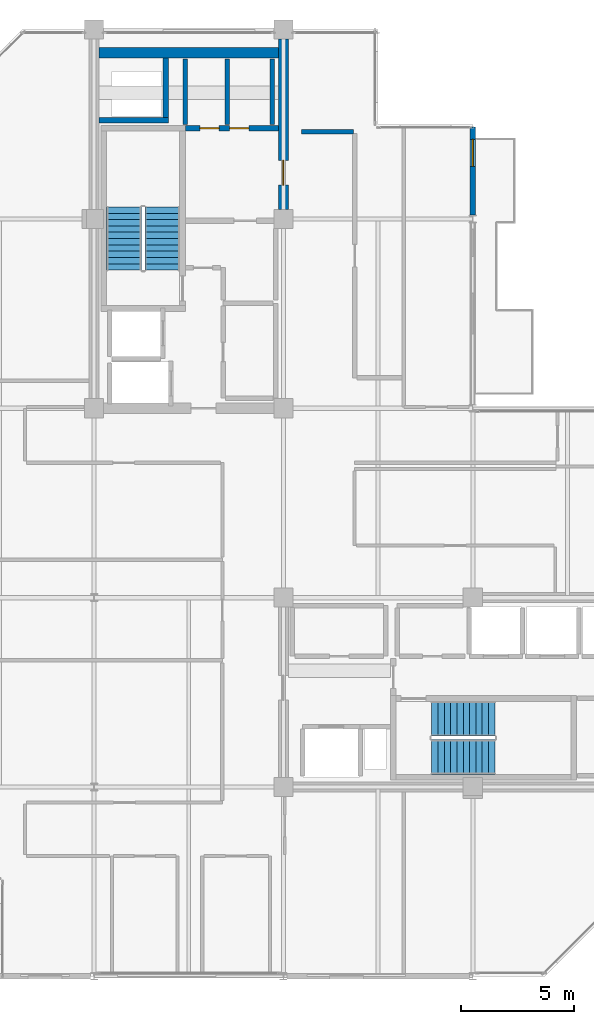
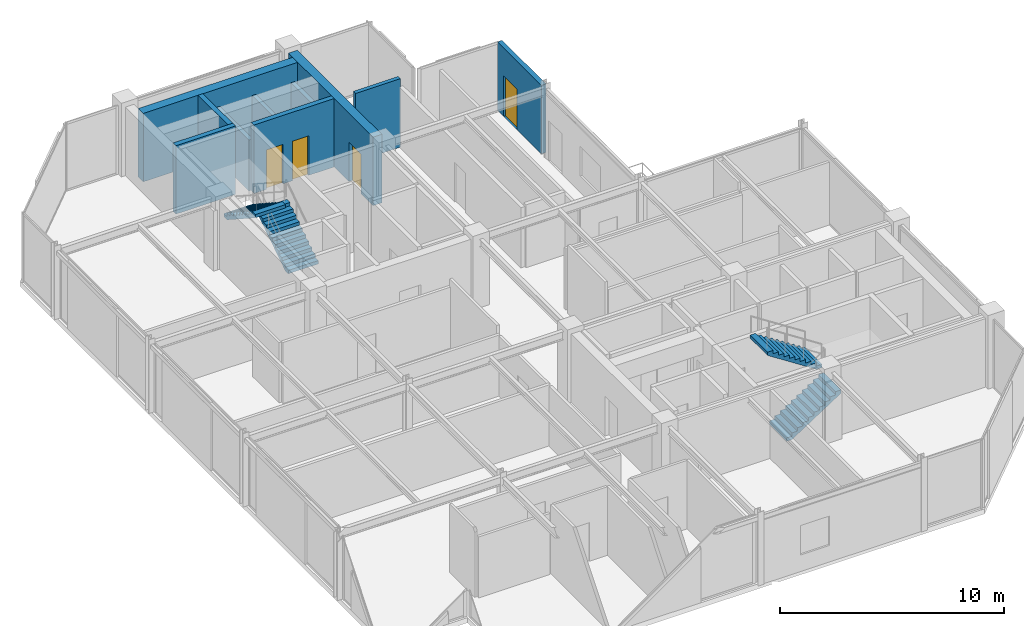
# One storey, part 22 of 24: 10 walls, 4 doors, 4 stair flights, 4 openings, 2 elements without a shape of their own.
"""IFC4 building model written with IfcOpenShell, lengths in metres."""

from ifc_helpers import new_model, si_unit, direction, frame, frame_2d, origin, place, context, subcontext, project, spatial, polyline, rectangle, outline, extrude, material, layer, layer_set, type_object, element, fill, aggregate, save


model = new_model("IFC4")

# Units and contexts
model_context = context("Model", 3, precision=1e-05, world=origin(), true_north=direction((0.0, 1.0)))
body_context = subcontext(model_context, "Body", "Model", "MODEL_VIEW")
ifc_project = project(units=[si_unit("LENGTHUNIT", "METRE"), si_unit("AREAUNIT", "SQUARE_METRE"), si_unit("VOLUMEUNIT", "CUBIC_METRE"), si_unit("PLANEANGLEUNIT", "RADIAN"), si_unit("MASSUNIT", "GRAM", prefix="KILO")], contexts=[model_context])

# Site, building, storey
site_placement = place(None, origin())
site = spatial("IfcSite", under=ifc_project, at=site_placement, CompositionType="ELEMENT")
building_placement = place(site_placement, origin())
building = spatial("IfcBuilding", under=site, at=building_placement, Name="Nerrivon Quay Data Exchange", CompositionType="ELEMENT")
storey_placement = place(building_placement, frame((0.0, 0.0, 294.199951171875)))
storey = spatial("IfcBuildingStorey", under=building, at=storey_placement, Name="L70", CompositionType="ELEMENT", Elevation=294.199951171875)

# Wall, opening, door
ifc_material_1 = material(Name="Architectural terracotta precast concrete N50 (50 MPa)", Category="masonry")
ifc_layer_1 = layer(ifc_material_1, 0.239990234375)
ifc_layer_set_1 = layer_set([ifc_layer_1], Name="Architectural terracotta precast concrete N50 (50 MPa)")
wall_type_1 = type_object("IfcWallType", Name="EW-PREC-240", PredefinedType="STANDARD", material=ifc_layer_set_1)
wall_1_placement = place(storey_placement, frame((25.199951171875, 37.679931640625, 0.0), z_axis=(0.0, 0.0, 1.0), x_axis=(0.0, -1.0, 0.0)))
wall_1 = element("IfcWall", 1, at=wall_1_placement, inside=storey, type_object=wall_type_1, Name="L70 Terrace Host Wall 19", PredefinedType="STANDARD", context=body_context, shape_type="SweptSolid", body=[
    extrude(rectangle(XDim=3.91650390625, YDim=0.239990234375, at=frame_2d((1.958251953125, 0.0))), origin(), (0.0, 0.0, 1.0), 3.72509765625),
])
opening_1_placement = place(wall_1_placement, frame((0.550048828125, 0.0, 0.0)))
opening_1 = element("IfcOpeningElement", 2, at=opening_1_placement, cuts=wall_1, Name="Opening TD1", PredefinedType="OPENING", context=body_context, shape_type="SweptSolid", body=[
    extrude(rectangle(XDim=1.199951171875, YDim=2.199951171875, at=frame_2d((0.60009765625, 1.10009765625))), frame((0.0, 0.1298828125, 0.0), z_axis=(0.0, -1.0, 0.0), x_axis=(1.0, 0.0, 0.0)), (0.0, 0.0, 1.0), 0.260009765625),
])
ifc_material_2 = material(Name="Double-glazed low-E solar control glass", Category="glass")
door_type_1 = type_object("IfcDoorType", Name="DR-TERR-1200x2200", OperationType="NOTDEFINED", PredefinedType="DOOR", material=ifc_material_2)
door_1_placement = place(opening_1_placement, origin())
door_1 = element("IfcDoor", 3, at=door_1_placement, inside=storey, type_object=door_type_1, Name="L70 Outdoor Terrace Access Door 19", OperationType="SINGLE_SWING_RIGHT", OverallHeight=2.199951171875, OverallWidth=1.199951171875, PredefinedType="DOOR", context=body_context, shape_type="SweptSolid", body=[
    extrude(rectangle(XDim=1.199951171875, YDim=2.199951171875, at=frame_2d((0.60009765625, 1.10009765625))), frame((0.0, 0.02490234375, 0.0), z_axis=(0.0, -1.0, 0.0), x_axis=(1.0, 0.0, 0.0)), (0.0, 0.0, 1.0), 0.050048828125),
])
fill(opening_1, door_1)

# Wall
ifc_material_3 = material(Name="Concrete N50 (50 MPa)", Category="concrete")
ifc_layer_2 = layer(ifc_material_3, 0.449951171875)
ifc_layer_set_2 = layer_set([ifc_layer_2], Name="Concrete N50 (50 MPa)")
wall_type_2 = type_object("IfcWallType", Name="WALL-CW-550", PredefinedType="SHEAR", material=ifc_layer_set_2)
wall_2_placement = place(storey_placement, frame((8.625, 40.97509765625, 0.0), z_axis=(0.0, 0.0, 1.0), x_axis=(1.0, 0.0, 0.0)))
element("IfcWall", 4, at=wall_2_placement, inside=storey, type_object=wall_type_2, Name="L70 West Split-Core Shear Wall WCW-N1", PredefinedType="SHEAR", context=body_context, shape_type="SweptSolid", body=[
    extrude(rectangle(XDim=7.949951171875, YDim=0.449951171875, at=frame_2d((3.97509765625, 0.0))), origin(), (0.0, 0.0, 1.0), 3.72509765625),
])

# Wall, opening, door
wall_3_placement = place(storey_placement, frame((16.800048828125, 34.02490234375, 0.0), z_axis=(0.0, 0.0, 1.0), x_axis=(0.0, 1.0, 0.0)))
wall_3 = element("IfcWall", 5, at=wall_3_placement, inside=storey, type_object=wall_type_2, Name="L70 West Split-Core Shear Wall WCW-E1", PredefinedType="SHEAR", context=body_context, shape_type="SweptSolid", body=[
    extrude(rectangle(XDim=7.550048828125, YDim=0.449951171875, at=frame_2d((3.77490234375, 0.0))), origin(), (0.0, 0.0, 1.0), 3.72509765625),
])
opening_2_placement = place(wall_3_placement, frame((1.074951171875, 0.0, 0.0)))
opening_2 = element("IfcOpeningElement", 6, at=opening_2_placement, cuts=wall_3, Name="Opening FD-120", PredefinedType="OPENING", context=body_context, shape_type="SweptSolid", body=[
    extrude(rectangle(XDim=1.10009765625, YDim=2.14990234375, at=frame_2d((0.550048828125, 1.074951171875))), frame((0.0, 0.23486328125, 0.0), z_axis=(0.0, -1.0, 0.0), x_axis=(1.0, 0.0, 0.0)), (0.0, 0.0, 1.0), 0.469970703125),
])
ifc_material_4 = material(Name="Powder-coated galvanized steel sheet", Category="steel")
door_type_2 = type_object("IfcDoorType", Name="DR-FD120-1100", OperationType="NOTDEFINED", PredefinedType="DOOR", material=ifc_material_4)
door_2_placement = place(opening_2_placement, origin())
door_2 = element("IfcDoor", 7, at=door_2_placement, inside=storey, type_object=door_type_2, Name="L70 West Core Lobby Fire Door", OperationType="SINGLE_SWING_RIGHT", OverallHeight=2.14990234375, OverallWidth=1.10009765625, PredefinedType="DOOR", context=body_context, shape_type="SweptSolid", body=[
    extrude(rectangle(XDim=1.10009765625, YDim=2.14990234375, at=frame_2d((0.550048828125, 1.074951171875))), frame((0.0, 0.02490234375, 0.0), z_axis=(0.0, -1.0, 0.0), x_axis=(1.0, 0.0, 0.0)), (0.0, 0.0, 1.0), 0.050048828125),
])
fill(opening_2, door_2)

# Walls
ifc_material_5 = material(Name="Gypsum plasterboard on cold-formed framing", Category="gypsum")
ifc_layer_3 = layer(ifc_material_5, 0.199951171875)
ifc_layer_set_3 = layer_set([ifc_layer_3], Name="Gypsum plasterboard on cold-formed framing")
wall_type_3 = type_object("IfcWallType", Name="WALL-FW-200", PredefinedType="PARTITIONING", material=ifc_layer_set_3)
for number, where, z_axis, x_axis, name in (
    (8, (14.300048828125, 37.780029296875, 0.0), (0.0, 0.0, 1.0), (0.0, 1.0, 0.0), "L70 Partition Cleaners Store"),
    (9, (12.449951171875, 40.699951171875, 0.0), (0.0, 0.0, 1.0), (0.0, -1.0, 0.0), "L70 Partition Cleaners Store"),
    (10, (16.300048828125, 37.780029296875, 0.0), (0.0, 0.0, 1.0), (0.0, 1.0, 0.0), "L70 Partition Janitor Closet"),
):
    element("IfcWall", number, at=place(storey_placement, frame(where, z_axis=z_axis, x_axis=x_axis)), inside=storey, type_object=wall_type_3, Name=name, PredefinedType="PARTITIONING", context=body_context, shape_type="SweptSolid", body=[
        extrude(rectangle(XDim=2.919921875, YDim=0.199951171875, at=frame_2d((1.4599609375, 0.0))), origin(), (0.0, 0.0, 1.0), 2.775146484375),
    ])
wall_4_placement = place(storey_placement, frame((17.60009765625, 37.4599609375, 0.0), z_axis=(0.0, 0.0, 1.0), x_axis=(1.0, 0.0, 0.0)))
element("IfcWall", 11, at=wall_4_placement, inside=storey, type_object=wall_type_3, Name="L70 Partition Colocation Data Workspace 1", PredefinedType="PARTITIONING", context=body_context, shape_type="SweptSolid", body=[
    extrude(rectangle(XDim=2.2998046875, YDim=0.199951171875, at=frame_2d((1.14990234375, 0.0))), origin(), (0.0, 0.0, 1.0), 3.72509765625),
])
ifc_layer_4 = layer(ifc_material_3, 0.25)
ifc_layer_set_4 = layer_set([ifc_layer_4], Name="Concrete N50 (50 MPa)")
wall_type_4 = type_object("IfcWallType", Name="WALL-SW-250", PredefinedType="SHEAR", material=ifc_layer_set_4)
wall_5_placement = place(storey_placement, frame((8.625, 37.97509765625, 0.0), z_axis=(0.0, 0.0, 1.0), x_axis=(1.0, 0.0, 0.0)))
element("IfcWall", 12, at=wall_5_placement, inside=storey, type_object=wall_type_4, Name="L70 West Core MEP Riser Shaft Wall S", PredefinedType="SHEAR", context=body_context, shape_type="SweptSolid", body=[
    extrude(rectangle(XDim=3.074951171875, YDim=0.25, at=frame_2d((1.53759765625, 0.0))), origin(), (0.0, 0.0, 1.0), 3.72509765625),
])
wall_6_placement = place(storey_placement, frame((11.574951171875, 38.10009765625, 0.0), z_axis=(0.0, 0.0, 1.0), x_axis=(0.0, 1.0, 0.0)))
element("IfcWall", 13, at=wall_6_placement, inside=storey, type_object=wall_type_4, Name="L70 West Core MEP Riser Shaft Wall E", PredefinedType="SHEAR", context=body_context, shape_type="SweptSolid", body=[
    extrude(rectangle(XDim=2.64990234375, YDim=0.25, at=frame_2d((1.324951171875, 0.0))), origin(), (0.0, 0.0, 1.0), 3.72509765625),
])

# Wall, openings, doors
wall_7_placement = place(storey_placement, frame((12.449951171875, 37.625, 0.0), z_axis=(0.0, 0.0, 1.0), x_axis=(1.0, 0.0, 0.0)))
wall_7 = element("IfcWall", 14, at=wall_7_placement, inside=storey, type_object=wall_type_4, Name="L70 West Firefighting Lobby Wall", PredefinedType="SHEAR", context=body_context, shape_type="SweptSolid", body=[
    extrude(rectangle(XDim=4.125, YDim=0.25, at=frame_2d((2.0625, 0.0))), origin(), (0.0, 0.0, 1.0), 3.72509765625),
])
opening_3_placement = place(wall_7_placement, frame((0.6474609375, 0.0, 0.0)))
opening_3 = element("IfcOpeningElement", 15, at=opening_3_placement, cuts=wall_7, Name="Opening FD-60S", PredefinedType="OPENING", context=body_context, shape_type="SweptSolid", body=[
    extrude(rectangle(XDim=0.85009765625, YDim=2.14990234375, at=frame_2d((0.425048828125, 1.074951171875))), frame((0.0, 0.135009765625, 0.0), z_axis=(0.0, -1.0, 0.0), x_axis=(1.0, 0.0, 0.0)), (0.0, 0.0, 1.0), 0.27001953125),
])
opening_4_placement = place(wall_7_placement, frame((1.967529296875, 0.0, 0.0)))
opening_4 = element("IfcOpeningElement", 16, at=opening_4_placement, cuts=wall_7, Name="Opening FD-60S", PredefinedType="OPENING", context=body_context, shape_type="SweptSolid", body=[
    extrude(rectangle(XDim=0.85009765625, YDim=2.14990234375, at=frame_2d((0.425048828125, 1.074951171875))), frame((0.0, 0.135009765625, 0.0), z_axis=(0.0, -1.0, 0.0), x_axis=(1.0, 0.0, 0.0)), (0.0, 0.0, 1.0), 0.27001953125),
])
ifc_material_6 = material(Name="Engineered hardwood timber", Category="wood")
door_type_3 = type_object("IfcDoorType", Name="DR-FD60-850", OperationType="NOTDEFINED", PredefinedType="DOOR", material=ifc_material_6)
door_3_placement = place(opening_3_placement, origin())
door_3 = element("IfcDoor", 17, at=door_3_placement, inside=storey, type_object=door_type_3, Name="L70 Door Cleaners Store", OperationType="SINGLE_SWING_LEFT", OverallHeight=2.14990234375, OverallWidth=0.85009765625, PredefinedType="DOOR", context=body_context, shape_type="SweptSolid", body=[
    extrude(rectangle(XDim=0.85009765625, YDim=2.14990234375, at=frame_2d((0.425048828125, 1.074951171875))), frame((0.0, 0.02490234375, 0.0), z_axis=(0.0, -1.0, 0.0), x_axis=(1.0, 0.0, 0.0)), (0.0, 0.0, 1.0), 0.050048828125),
])
fill(opening_3, door_3)
door_4_placement = place(opening_4_placement, origin())
door_4 = element("IfcDoor", 18, at=door_4_placement, inside=storey, type_object=door_type_3, Name="L70 Door Janitor Closet", OperationType="SINGLE_SWING_RIGHT", OverallHeight=2.14990234375, OverallWidth=0.85009765625, PredefinedType="DOOR", context=body_context, shape_type="SweptSolid", body=[
    extrude(rectangle(XDim=0.85009765625, YDim=2.14990234375, at=frame_2d((0.425048828125, 1.074951171875))), frame((0.0, 0.02490234375, 0.0), z_axis=(0.0, -1.0, 0.0), x_axis=(1.0, 0.0, 0.0)), (0.0, 0.0, 1.0), 0.050048828125),
])
fill(opening_4, door_4)

# Stair, stair flights
stair_type = type_object("IfcStairType", Name="STAIR-DOG-40", PredefinedType="HALF_TURN_STAIR", material=ifc_material_3)
stair_1_placement = place(storey_placement, origin())
stair_1 = element("IfcStair", 19, at=stair_1_placement, inside=storey, type_object=stair_type, Name="L70 West Core Fire Stair ST01", PredefinedType="HALF_TURN_STAIR")
stair_flight_type = type_object("IfcStairFlightType", Name="FLIGHT-DOG-40", PredefinedType="STRAIGHT", material=ifc_material_3)
stair_flight_1_placement = place(storey_placement, frame((11.425048828125, 31.330078125, 0.0), z_axis=(0.0, 0.0, 1.0), x_axis=(0.0, 1.0, 0.0)))
stair_flight_1 = element("IfcStairFlight", 20, at=stair_flight_1_placement, type_object=stair_flight_type, Name="ST01 flight 1", NumberOfRisers=11, NumberOfTreads=10, PredefinedType="STRAIGHT", RiserHeight=0.181818182, TreadLength=0.28, context=body_context, shape_type="SweptSolid", body=[
    extrude(outline(polyline([(0.0, 0.0), (0.0, 0.181884765625), (0.280029296875, 0.181884765625), (0.280029296875, 0.363525390625), (0.56005859375, 0.363525390625), (0.56005859375, 0.54541015625), (0.840087890625, 0.54541015625), (0.840087890625, 0.727294921875), (1.1201171875, 0.727294921875), (1.1201171875, 0.9091796875), (1.39990234375, 0.9091796875), (1.39990234375, 1.0908203125), (1.679931640625, 1.0908203125), (1.679931640625, 1.272705078125), (1.9599609375, 1.272705078125), (1.9599609375, 1.45458984375), (2.239990234375, 1.45458984375), (2.239990234375, 1.636474609375), (2.52001953125, 1.636474609375), (2.52001953125, 1.818115234375), (2.800048828125, 1.818115234375), (2.800048828125, 2.0), (2.800048828125, 1.639404296875), (0.275146484375, 0.0), (0.0, 0.0)])), frame((0.0, 0.77490234375, 0.0), z_axis=(0.0, -1.0, 0.0), x_axis=(1.0, 0.0, 0.0)), (0.0, 0.0, 1.0), 1.550048828125),
])
stair_flight_2_placement = place(storey_placement, frame((9.72509765625, 34.1298828125, 2.0), z_axis=(0.0, 0.0, 1.0), x_axis=(0.0, -1.0, 0.0)))
stair_flight_2 = element("IfcStairFlight", 21, at=stair_flight_2_placement, type_object=stair_flight_type, Name="ST01 flight 2", NumberOfRisers=11, NumberOfTreads=10, PredefinedType="STRAIGHT", RiserHeight=0.181818182, TreadLength=0.28, context=body_context, shape_type="SweptSolid", body=[
    extrude(outline(polyline([(0.0, 0.0), (0.0, 0.181884765625), (0.280029296875, 0.181884765625), (0.280029296875, 0.363525390625), (0.56005859375, 0.363525390625), (0.56005859375, 0.54541015625), (0.840087890625, 0.54541015625), (0.840087890625, 0.727294921875), (1.1201171875, 0.727294921875), (1.1201171875, 0.9091796875), (1.39990234375, 0.9091796875), (1.39990234375, 1.0908203125), (1.679931640625, 1.0908203125), (1.679931640625, 1.272705078125), (1.9599609375, 1.272705078125), (1.9599609375, 1.45458984375), (2.239990234375, 1.45458984375), (2.239990234375, 1.636474609375), (2.52001953125, 1.636474609375), (2.52001953125, 1.818115234375), (2.800048828125, 1.818115234375), (2.800048828125, 2.0), (2.800048828125, 1.639404296875), (0.275146484375, 0.0), (0.0, 0.0)])), frame((0.0, 0.77490234375, 0.0), z_axis=(0.0, -1.0, 0.0), x_axis=(1.0, 0.0, 0.0)), (0.0, 0.0, 1.0), 1.550048828125),
])
aggregate(stair_1, [stair_flight_1, stair_flight_2])

stair_2_placement = place(storey_placement, origin())
stair_2 = element("IfcStair", 22, at=stair_2_placement, inside=storey, type_object=stair_type, Name="L70 East Core Fire Stair ST02", PredefinedType="HALF_TURN_STAIR")
stair_flight_3_placement = place(storey_placement, frame((23.3798828125, 9.72509765625, 0.0), z_axis=(0.0, 0.0, 1.0), x_axis=(1.0, 0.0, 0.0)))
stair_flight_3 = element("IfcStairFlight", 23, at=stair_flight_3_placement, type_object=stair_flight_type, Name="ST02 flight 1", NumberOfRisers=11, NumberOfTreads=10, PredefinedType="STRAIGHT", RiserHeight=0.181818182, TreadLength=0.28, context=body_context, shape_type="SweptSolid", body=[
    extrude(outline(polyline([(0.0, 0.0), (0.0, 0.181884765625), (0.280029296875, 0.181884765625), (0.280029296875, 0.363525390625), (0.56005859375, 0.363525390625), (0.56005859375, 0.54541015625), (0.840087890625, 0.54541015625), (0.840087890625, 0.727294921875), (1.1201171875, 0.727294921875), (1.1201171875, 0.9091796875), (1.39990234375, 0.9091796875), (1.39990234375, 1.0908203125), (1.679931640625, 1.0908203125), (1.679931640625, 1.272705078125), (1.9599609375, 1.272705078125), (1.9599609375, 1.45458984375), (2.239990234375, 1.45458984375), (2.239990234375, 1.636474609375), (2.52001953125, 1.636474609375), (2.52001953125, 1.818115234375), (2.800048828125, 1.818115234375), (2.800048828125, 2.0), (2.800048828125, 1.639404296875), (0.275146484375, 0.0), (0.0, 0.0)])), frame((0.0, 0.77490234375, 0.0), z_axis=(0.0, -1.0, 0.0), x_axis=(1.0, 0.0, 0.0)), (0.0, 0.0, 1.0), 1.550048828125),
])
stair_flight_4_placement = place(storey_placement, frame((26.179931640625, 11.425048828125, 2.0), z_axis=(0.0, 0.0, 1.0), x_axis=(-1.0, 0.0, 0.0)))
stair_flight_4 = element("IfcStairFlight", 24, at=stair_flight_4_placement, type_object=stair_flight_type, Name="ST02 flight 2", NumberOfRisers=11, NumberOfTreads=10, PredefinedType="STRAIGHT", RiserHeight=0.181818182, TreadLength=0.28, context=body_context, shape_type="SweptSolid", body=[
    extrude(outline(polyline([(0.0, 0.0), (0.0, 0.181884765625), (0.280029296875, 0.181884765625), (0.280029296875, 0.363525390625), (0.56005859375, 0.363525390625), (0.56005859375, 0.54541015625), (0.840087890625, 0.54541015625), (0.840087890625, 0.727294921875), (1.1201171875, 0.727294921875), (1.1201171875, 0.9091796875), (1.39990234375, 0.9091796875), (1.39990234375, 1.0908203125), (1.679931640625, 1.0908203125), (1.679931640625, 1.272705078125), (1.9599609375, 1.272705078125), (1.9599609375, 1.45458984375), (2.239990234375, 1.45458984375), (2.239990234375, 1.636474609375), (2.52001953125, 1.636474609375), (2.52001953125, 1.818115234375), (2.800048828125, 1.818115234375), (2.800048828125, 2.0), (2.800048828125, 1.639404296875), (0.275146484375, 0.0), (0.0, 0.0)])), frame((0.0, 0.77490234375, 0.0), z_axis=(0.0, -1.0, 0.0), x_axis=(1.0, 0.0, 0.0)), (0.0, 0.0, 1.0), 1.550048828125),
])
aggregate(stair_2, [stair_flight_3, stair_flight_4])

save(model, "model.ifc")
